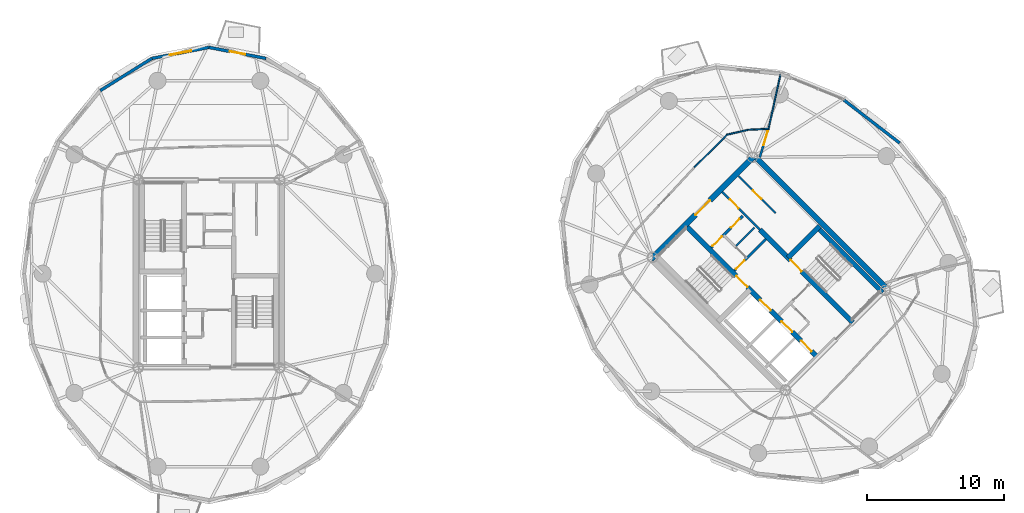
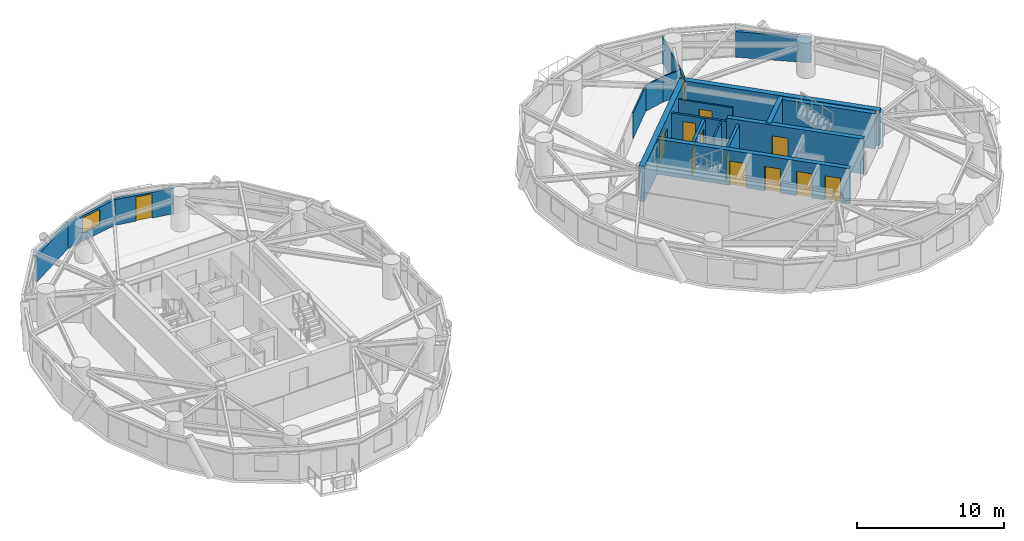
# One storey, part 11 of 15: 20 walls, 13 doors, 1 window, 14 openings.
"""IFC4 building model written with IfcOpenShell, lengths in metres."""

import ifcopenshell
import ifcopenshell.guid

model = None  # the IFC model being written
_history = None  # IfcOwnerHistory: only IFC2X3 demands one
_inside = {}  # id of a spatial element -> (the spatial element, [elements in it])
_under = {}  # id of a project, library or spatial element -> (it, [spatial elements below it])
_declared = {}  # id of a project -> (the project, [libraries it declares])
_typed = {}  # id of a type object -> (the type object, [elements of that type])
_made_of = {}  # id of a material, layer set ... -> (it, [elements and type objects made of it])


def new_model(schema):
    """Start an empty IFC model of exactly this schema.

    Asked for "IFC4X3", IfcOpenShell would pick the latest addendum, in which some entities
    have other attributes; the version numbers below select the first issue.
    IFC2X3 requires an IfcOwnerHistory on every rooted entity: one is made here for all.
    """
    global model, _history
    if schema == "IFC4X3":
        model = ifcopenshell.file(schema_version=(4, 3, 0, 0))
    else:
        model = ifcopenshell.file(schema=schema)
    _inside.clear()
    _under.clear()
    _declared.clear()
    _typed.clear()
    _made_of.clear()
    _history = None
    if model.schema == "IFC2X3":
        org = make("IfcOrganization", Name="unknown")
        user = make(
            "IfcPersonAndOrganization",
            ThePerson=make("IfcPerson", FamilyName="unknown"),
            TheOrganization=org,
        )
        app = make(
            "IfcApplication",
            ApplicationDeveloper=org,
            Version="unknown",
            ApplicationFullName="unknown",
            ApplicationIdentifier="unknown",
        )
        _history = make(
            "IfcOwnerHistory",
            OwningUser=user,
            OwningApplication=app,
            ChangeAction="ADDED",
            CreationDate=0,
        )
    return model


def make(cls, **values):
    """One entity of the class cls with the attributes given. An attribute that is None is left unset."""
    return model.create_entity(
        cls, **{name: value for name, value in values.items() if value is not None}
    )


def rooted(cls, **values):
    """An entity with a GlobalId (a new one), such as an element, a storey or a relation."""
    return make(cls, GlobalId=ifcopenshell.guid.new(), OwnerHistory=_history, **values)


def si_unit(unit_type, name, prefix=None):
    """IfcSIUnit, for example si_unit("LENGTHUNIT", "METRE", prefix="MILLI")."""
    return make("IfcSIUnit", UnitType=unit_type, Prefix=prefix, Name=name)


def assignment(units):
    """IfcUnitAssignment: the units of a project."""
    return None if units is None else make("IfcUnitAssignment", Units=units)


def point(xyz):
    """IfcCartesianPoint."""
    return None if xyz is None else make("IfcCartesianPoint", Coordinates=xyz)


def direction(xyz):
    """IfcDirection."""
    return None if xyz is None else make("IfcDirection", DirectionRatios=xyz)


def frame(location, z_axis=None, x_axis=None):
    """IfcAxis2Placement3D, a coordinate frame: its origin and axes. An axis left out is left unset."""
    return make(
        "IfcAxis2Placement3D",
        Location=point(location),
        Axis=direction(z_axis),
        RefDirection=direction(x_axis),
    )


def frame_2d(location, x_axis=None):
    """IfcAxis2Placement2D, a coordinate frame in the plane: its origin and x axis."""
    return make(
        "IfcAxis2Placement2D", Location=point(location), RefDirection=direction(x_axis)
    )


def origin():
    """The frame at (0, 0, 0) with its axes left unset."""
    return frame((0.0, 0.0, 0.0))


def place(relative_to, where):
    """IfcLocalPlacement: puts the frame where relative to a parent placement (None: the world)."""
    return make(
        "IfcLocalPlacement", PlacementRelTo=relative_to, RelativePlacement=where
    )


def context(
    kind, dimensions, precision=None, world=None, true_north=None, identifier=None
):
    """IfcGeometricRepresentationContext, for example the 3D "Model" context."""
    return make(
        "IfcGeometricRepresentationContext",
        ContextIdentifier=identifier,
        ContextType=kind,
        CoordinateSpaceDimension=dimensions,
        Precision=precision,
        WorldCoordinateSystem=world,
        TrueNorth=true_north,
    )


def subcontext(parent, identifier, kind, view, scale=None):
    """IfcGeometricRepresentationSubContext, for example "Body" below "Model"."""
    return make(
        "IfcGeometricRepresentationSubContext",
        ContextIdentifier=identifier,
        ContextType=kind,
        ParentContext=parent,
        TargetScale=scale,
        TargetView=view,
    )


def project(units=None, contexts=None):
    """IfcProject with its units and contexts."""
    return rooted(
        "IfcProject",
        Name="project",
        RepresentationContexts=contexts,
        UnitsInContext=assignment(units),
    )


def spatial(cls, under=None, at=None, **own):
    """A site, building, storey or space (cls), placed at a placement, below another one or the project."""
    s = rooted(cls, ObjectPlacement=at, **own)
    if under is not None:
        _under.setdefault(under.id(), (under, []))[1].append(s)
    return s


def profile(cls, at=None, kind="AREA", **sizes):
    """A parametric profile (cls). Its sizes go by their IFC names, for example OverallWidth=200.0."""
    return make(cls, ProfileType=kind, Position=at, **sizes)


def rectangle(**sizes):
    """IfcRectangleProfileDef."""
    return profile("IfcRectangleProfileDef", **sizes)


def extrude(swept, where, along, depth):
    """IfcExtrudedAreaSolid: the profile swept, set in the frame where, extruded along a direction by depth."""
    return make(
        "IfcExtrudedAreaSolid",
        SweptArea=swept,
        Position=where,
        ExtrudedDirection=direction(along),
        Depth=depth,
    )


def shape(context_of_items, identifier, shape_type, items):
    """IfcShapeRepresentation: the items that make up one representation, for example the "Body"."""
    return make(
        "IfcShapeRepresentation",
        ContextOfItems=context_of_items,
        RepresentationIdentifier=identifier,
        RepresentationType=shape_type,
        Items=items,
    )


def source(mapping_origin, context_of_items, identifier, shape_type, items):
    """IfcRepresentationMap: a shape defined once, which mapped items show again and again."""
    return make(
        "IfcRepresentationMap",
        MappingOrigin=mapping_origin,
        MappedRepresentation=shape(context_of_items, identifier, shape_type, items),
    )


def transform(
    local_origin,
    x_axis=None,
    y_axis=None,
    z_axis=None,
    scale=None,
    scale2=None,
    scale3=None,
    uniform=True,
):
    """IfcCartesianTransformationOperator3D, or its non-uniform kind. x_axis, y_axis, z_axis: its Axis1, 2, 3."""
    if uniform:
        return make(
            "IfcCartesianTransformationOperator3D",
            Axis1=direction(x_axis),
            Axis2=direction(y_axis),
            LocalOrigin=point(local_origin),
            Scale=scale,
            Axis3=direction(z_axis),
        )
    return make(
        "IfcCartesianTransformationOperator3DnonUniform",
        Axis1=direction(x_axis),
        Axis2=direction(y_axis),
        LocalOrigin=point(local_origin),
        Scale=scale,
        Axis3=direction(z_axis),
        Scale2=scale2,
        Scale3=scale3,
    )


def mapped(mapping_source, mapping_target):
    """IfcMappedItem: shows the shape of a source again, moved by a transform."""
    return make(
        "IfcMappedItem", MappingSource=mapping_source, MappingTarget=mapping_target
    )


def material(Name=None, Category=None):
    """IfcMaterial."""
    return make("IfcMaterial", Name=Name, Category=Category)


def layer(
    of_material, thickness, ventilated=None, Name=None, Category=None, Priority=None
):
    """IfcMaterialLayer: one layer of a wall or slab, of a material (None: an air gap)."""
    return make(
        "IfcMaterialLayer",
        Material=of_material,
        LayerThickness=thickness,
        IsVentilated=ventilated,
        Name=Name,
        Category=Category,
        Priority=Priority,
    )


def layer_set(layers, Name=None):
    """IfcMaterialLayerSet."""
    return make("IfcMaterialLayerSet", MaterialLayers=layers, LayerSetName=Name)


def made_of(thing, what):
    """Note that an element or type object is made of a material, layer set ...; save() writes the relation."""
    if what is not None:
        _made_of.setdefault(what.id(), (what, []))[1].append(thing)
    return thing


def type_object(cls, material=None, **own):
    """A type object (cls), such as IfcWallType, which elements share."""
    return made_of(rooted(cls, **own), material)


def element(
    cls,
    number,
    at=None,
    inside=None,
    cuts=None,
    type_object=None,
    material=None,
    context=None,
    identifier="Body",
    shape_type=None,
    held_by="IfcProductDefinitionShape",
    body=None,
    shapes=None,
    **own,
):
    """One element of the class cls, such as IfcWall. Its Tag is "e" and its number.

    at: its placement. inside: the storey or other place that contains it. cuts: it is an
    opening in that element (IfcRelVoidsElement). A single representation is given by context,
    identifier, shape_type and body (its items); several are given by shapes. held_by: the class
    of the entity that holds the representations. save() writes the other relations.
    """
    e = rooted(cls, Tag="e%d" % number, ObjectPlacement=at, **own)
    if body is not None:
        shapes = [shape(context, identifier, shape_type, body)]
    if shapes is not None:
        e.Representation = make(held_by, Representations=shapes)
    if inside is not None:
        _inside.setdefault(inside.id(), (inside, []))[1].append(e)
    if cuts is not None:
        rooted(
            "IfcRelVoidsElement", RelatingBuildingElement=cuts, RelatedOpeningElement=e
        )
    if type_object is not None:
        _typed.setdefault(type_object.id(), (type_object, []))[1].append(e)
    return made_of(e, material)


def fill(opening, filler):
    """IfcRelFillsElement: the door or window that sits in an opening."""
    return rooted(
        "IfcRelFillsElement",
        RelatingOpeningElement=opening,
        RelatedBuildingElement=filler,
    )


def aggregate(whole, parts):
    """IfcRelAggregates: a whole, such as a stair, and the parts it consists of."""
    return rooted("IfcRelAggregates", RelatingObject=whole, RelatedObjects=parts)


def save(model, path):
    """Write the relations noted so far, then the file.

    IfcRelAggregates (storeys below a building ...), IfcRelContainedInSpatialStructure (elements
    in a storey), IfcRelDefinesByType, IfcRelAssociatesMaterial and IfcRelDeclares: one each for
    every whole, place, type object, material and project.
    """
    for whole, parts in _under.values():
        aggregate(whole, parts)
    for where, things in _inside.values():
        rooted(
            "IfcRelContainedInSpatialStructure",
            RelatedElements=things,
            RelatingStructure=where,
        )
    for kind, things in _typed.values():
        rooted("IfcRelDefinesByType", RelatedObjects=things, RelatingType=kind)
    for what, things in _made_of.values():
        rooted("IfcRelAssociatesMaterial", RelatedObjects=things, RelatingMaterial=what)
    for by, libraries in _declared.values():
        rooted("IfcRelDeclares", RelatingContext=by, RelatedDefinitions=libraries)
    model.write(path)


model = new_model("IFC4")

# Units and contexts
model_context = context("Model", 3, precision=1e-05, world=origin(), true_north=direction((0.0, 1.0)))
body_context = subcontext(model_context, "Body", "Model", "MODEL_VIEW")
ifc_project = project(units=[si_unit("LENGTHUNIT", "METRE"), si_unit("AREAUNIT", "SQUARE_METRE"), si_unit("VOLUMEUNIT", "CUBIC_METRE"), si_unit("PLANEANGLEUNIT", "RADIAN"), si_unit("MASSUNIT", "GRAM", prefix="KILO")], contexts=[model_context])

# Site, building, storey
site_placement = place(None, origin())
site = spatial("IfcSite", under=ifc_project, at=site_placement, CompositionType="ELEMENT")
building_placement = place(site_placement, origin())
building = spatial("IfcBuilding", under=site, at=building_placement, Name="Cununo Teusaquillo Station Towers", CompositionType="ELEMENT")
storey_placement = place(building_placement, frame((0.0, 0.0, 189.429931640625)))
storey = spatial("IfcBuildingStorey", under=building, at=storey_placement, Name="L60", CompositionType="ELEMENT", Elevation=189.429931640625)

# Wall, openings, doors
ifc_material_1 = material(Name="Concrete C50/60", Category="concrete")
ifc_layer_1 = layer(ifc_material_1, 0.35009765625)
ifc_layer_set_1 = layer_set([ifc_layer_1], Name="Concrete C50/60")
wall_type_1 = type_object("IfcWallType", Name="WL-CORE-350", PredefinedType="SHEAR", material=ifc_layer_set_1)
wall_1_placement = place(storey_placement, frame((61.060302734375, 18.372802734375, 0.0), z_axis=(0.0, 0.0, 1.0), x_axis=(-0.707106781187, 0.707106781187, 0.0)))
wall_1 = element("IfcWall", 1, at=wall_1_placement, inside=storey, type_object=wall_type_1, Name="L60 Tower B Core Shear Wall IW", PredefinedType="SHEAR", context=body_context, shape_type="SweptSolid", body=[
    extrude(rectangle(XDim=13.7001953125, YDim=0.35009765625, at=frame_2d((6.85009765625, 0.0))), origin(), (0.0, 0.0, 1.0), 2.91015625),
])
shared_shape_1 = source(origin(), body_context, "Body", "SweptSolid", [
    extrude(rectangle(XDim=1.10009765625, YDim=2.014892578125, at=frame_2d((0.550048828125, 1.00732421875))), frame((0.0, 0.18505859375, 0.0), z_axis=(0.0, -1.0, 0.0), x_axis=(1.0, 0.0, 0.0)), (0.0, 0.0, 1.0), 0.3701171875),
])
opening_1_placement = place(wall_1_placement, frame((4.85009765625, 0.0, 0.0)))
opening_1 = element("IfcOpeningElement", 2, at=opening_1_placement, cuts=wall_1, Name="Opening LD-01", PredefinedType="OPENING", context=body_context, shape_type="MappedRepresentation", body=[
    mapped(shared_shape_1, transform((0.0, 0.0, 0.0), x_axis=(1.0, 0.0, 0.0), y_axis=(0.0, 1.0, 0.0), z_axis=(0.0, 0.0, 1.0), scale=1.0)),
])
opening_2_placement = place(wall_1_placement, frame((0.625, 0.0, 0.0)))
opening_2 = element("IfcOpeningElement", 3, at=opening_2_placement, cuts=wall_1, Name="Opening LD-01", PredefinedType="OPENING", context=body_context, shape_type="MappedRepresentation", body=[
    mapped(shared_shape_1, transform((0.0, 0.0, 0.0), x_axis=(1.0, 0.0, 0.0), y_axis=(0.0, 1.0, 0.0), z_axis=(0.0, 0.0, 1.0), scale=1.0)),
])
opening_3_placement = place(wall_1_placement, frame((2.625, 0.0, 0.0)))
opening_3 = element("IfcOpeningElement", 4, at=opening_3_placement, cuts=wall_1, Name="Opening LD-01", PredefinedType="OPENING", context=body_context, shape_type="MappedRepresentation", body=[
    mapped(shared_shape_1, transform((0.0, 0.0, 0.0), x_axis=(1.0, 0.0, 0.0), y_axis=(0.0, 1.0, 0.0), z_axis=(0.0, 0.0, 1.0), scale=1.0)),
])
shared_shape_2 = source(origin(), body_context, "Body", "SweptSolid", [
    extrude(rectangle(XDim=1.14990234375, YDim=2.02001953125, at=frame_2d((0.574951171875, 1.010009765625))), frame((0.0, 0.18505859375, 0.0), z_axis=(0.0, -1.0, 0.0), x_axis=(1.0, 0.0, 0.0)), (0.0, 0.0, 1.0), 0.3701171875),
])
opening_4_placement = place(wall_1_placement, frame((7.27001953125, 0.0, 0.0)))
opening_4 = element("IfcOpeningElement", 5, at=opening_4_placement, cuts=wall_1, Name="Opening D-ST1", PredefinedType="OPENING", context=body_context, shape_type="MappedRepresentation", body=[
    mapped(shared_shape_2, transform((0.0, 0.0, 0.0), x_axis=(1.0, 0.0, 0.0), y_axis=(0.0, 1.0, 0.0), z_axis=(0.0, 0.0, 1.0), scale=1.0)),
])
ifc_material_2 = material(Name="Galvanised fire-rated hollow steel door assembly", Category="steel")
door_type_1 = type_object("IfcDoorType", Name="DR-LIFT-1100", OperationType="SLIDING_TO_LEFT", PredefinedType="DOOR", material=ifc_material_2)
shared_shape_3 = source(origin(), body_context, "Body", "SweptSolid", [
    extrude(rectangle(XDim=1.10009765625, YDim=2.014892578125, at=frame_2d((0.550048828125, 1.00732421875))), frame((0.0, 0.02490234375, 0.0), z_axis=(0.0, -1.0, 0.0), x_axis=(1.0, 0.0, 0.0)), (0.0, 0.0, 1.0), 0.050048828125),
])
door_1_placement = place(opening_1_placement, origin())
door_1 = element("IfcDoor", 6, at=door_1_placement, inside=storey, type_object=door_type_1, Name="L60 Lift FL-T2 Sliding Landing Door", OperationType="SLIDING_TO_RIGHT", OverallHeight=2.014892578125, OverallWidth=1.10009765625, PredefinedType="DOOR", context=body_context, shape_type="MappedRepresentation", body=[
    mapped(shared_shape_3, transform((0.0, 0.0, 0.0), x_axis=(1.0, 0.0, 0.0), y_axis=(0.0, 1.0, 0.0), z_axis=(0.0, 0.0, 1.0), scale=1.0)),
])
fill(opening_1, door_1)
door_2_placement = place(opening_2_placement, origin())
door_2 = element("IfcDoor", 7, at=door_2_placement, inside=storey, type_object=door_type_1, Name="L60 Lift PL-T2-H1 Sliding Landing Door", OperationType="SLIDING_TO_LEFT", OverallHeight=2.014892578125, OverallWidth=1.10009765625, PredefinedType="DOOR", context=body_context, shape_type="MappedRepresentation", body=[
    mapped(shared_shape_3, transform((0.0, 0.0, 0.0), x_axis=(1.0, 0.0, 0.0), y_axis=(0.0, 1.0, 0.0), z_axis=(0.0, 0.0, 1.0), scale=1.0)),
])
fill(opening_2, door_2)
door_3_placement = place(opening_3_placement, origin())
door_3 = element("IfcDoor", 8, at=door_3_placement, inside=storey, type_object=door_type_1, Name="L60 Lift PL-T2-H2 Sliding Landing Door", OperationType="SLIDING_TO_RIGHT", OverallHeight=2.014892578125, OverallWidth=1.10009765625, PredefinedType="DOOR", context=body_context, shape_type="MappedRepresentation", body=[
    mapped(shared_shape_3, transform((0.0, 0.0, 0.0), x_axis=(1.0, 0.0, 0.0), y_axis=(0.0, 1.0, 0.0), z_axis=(0.0, 0.0, 1.0), scale=1.0)),
])
fill(opening_3, door_3)
ifc_material_3 = material(Name="Galvanised fire-rated hollow steel door assembly", Category="steel")
door_type_2 = type_object("IfcDoorType", Name="DR-STAIR-1150", OperationType="NOTDEFINED", PredefinedType="DOOR", material=ifc_material_3)
shared_shape_4 = source(origin(), body_context, "Body", "SweptSolid", [
    extrude(rectangle(XDim=1.14990234375, YDim=2.02001953125, at=frame_2d((0.574951171875, 1.010009765625))), frame((0.0, 0.02490234375, 0.0), z_axis=(0.0, -1.0, 0.0), x_axis=(1.0, 0.0, 0.0)), (0.0, 0.0, 1.0), 0.050048828125),
])
door_4_placement = place(opening_4_placement, origin())
door_4 = element("IfcDoor", 9, at=door_4_placement, inside=storey, type_object=door_type_2, Name="L60 Tower B Exit Stair 1 Fire Door", OperationType="SINGLE_SWING_RIGHT", OverallHeight=2.02001953125, OverallWidth=1.14990234375, PredefinedType="DOOR", context=body_context, shape_type="MappedRepresentation", body=[
    mapped(shared_shape_4, transform((0.0, 0.0, 0.0), x_axis=(1.0, 0.0, 0.0), y_axis=(0.0, 1.0, 0.0), z_axis=(0.0, 0.0, 1.0), scale=1.0)),
])
fill(opening_4, door_4)

# Wall, opening, door
wall_2_placement = place(storey_placement, frame((63.627197265625, 20.939697265625, 0.0), z_axis=(0.0, 0.0, 1.0), x_axis=(-0.707119496762, 0.707094065383, 0.0)))
wall_2 = element("IfcWall", 10, at=wall_2_placement, inside=storey, type_object=wall_type_1, Name="L60 Tower B Core Shear Wall IE", PredefinedType="SHEAR", context=body_context, shape_type="SweptSolid", body=[
    extrude(rectangle(XDim=9.60009765625, YDim=0.35009765625, at=frame_2d((4.800048828125, 0.0))), origin(), (0.0, 0.0, 1.0), 2.91015625),
])
opening_5_placement = place(wall_2_placement, frame((5.280029296875, 0.0, 0.0)))
opening_5 = element("IfcOpeningElement", 11, at=opening_5_placement, cuts=wall_2, Name="Opening D-ST1", PredefinedType="OPENING", context=body_context, shape_type="MappedRepresentation", body=[
    mapped(shared_shape_2, transform((0.0, 0.0, 0.0), x_axis=(1.0, 0.0, 0.0), y_axis=(0.0, 1.0, 0.0), z_axis=(0.0, 0.0, 1.0), scale=1.0)),
])
door_5_placement = place(opening_5_placement, origin())
door_5 = element("IfcDoor", 12, at=door_5_placement, inside=storey, type_object=door_type_2, Name="L60 Tower B Exit Stair 2 Fire Door", OperationType="SINGLE_SWING_LEFT", OverallHeight=2.02001953125, OverallWidth=1.14990234375, PredefinedType="DOOR", context=body_context, shape_type="MappedRepresentation", body=[
    mapped(shared_shape_4, transform((0.0, 0.0, 0.0), x_axis=(1.0, 0.0, 0.0), y_axis=(0.0, 1.0, 0.0), z_axis=(0.0, 0.0, 1.0), scale=1.0)),
])
fill(opening_5, door_5)

# Walls
wall_3_placement = place(storey_placement, frame((65.81201171875, 23.124755859375, 0.0), z_axis=(0.0, 0.0, 1.0), x_axis=(-0.707106781187, 0.707106781187, 0.0)))
element("IfcWall", 13, at=wall_3_placement, inside=storey, type_object=wall_type_1, Name="L60 Tower B Core Shear Wall ST2E", PredefinedType="SHEAR", context=body_context, shape_type="SweptSolid", body=[
    extrude(rectangle(XDim=6.695068359375, YDim=0.35009765625, at=frame_2d((3.34765625, 0.0))), origin(), (0.0, 0.0, 1.0), 2.91015625),
])
wall_4_placement = place(storey_placement, frame((58.89306640625, 25.673828125, 0.0), z_axis=(0.0, 0.0, 1.0), x_axis=(0.707106781187, 0.707106781187, 0.0)))
element("IfcWall", 14, at=wall_4_placement, inside=storey, type_object=wall_type_1, Name="L60 Tower B Core Shear Wall ST2N", PredefinedType="SHEAR", context=body_context, shape_type="SweptSolid", body=[
    extrude(rectangle(XDim=3.284912109375, YDim=0.35009765625, at=frame_2d((1.642578125, 0.0))), origin(), (0.0, 0.0, 1.0), 2.91015625),
])
ifc_material_4 = material(Name="Concrete C50/60", Category="concrete")
ifc_layer_2 = layer(ifc_material_4, 0.39990234375)
ifc_layer_set_2 = layer_set([ifc_layer_2], Name="Concrete C50/60")
wall_type_2 = type_object("IfcWallType", Name="WL-CORE-400", PredefinedType="SHEAR", material=ifc_layer_set_2)
wall_5_placement = place(storey_placement, frame((66.26806640625, 23.2978515625, 0.0), z_axis=(0.0, 0.0, 1.0), x_axis=(-0.707106781187, 0.707106781187, 0.0)))
element("IfcWall", 15, at=wall_5_placement, inside=storey, type_object=wall_type_2, Name="L60 Tower B Core Shear Wall E", PredefinedType="SHEAR", context=body_context, shape_type="SweptSolid", body=[
    extrude(rectangle(XDim=14.10009765625, YDim=0.39990234375, at=frame_2d((7.050048828125, 0.0))), origin(), (0.0, 0.0, 1.0), 2.91015625),
])

# Wall, opening, door
wall_6_placement = place(storey_placement, frame((48.873291015625, 25.560791015625, 0.0), z_axis=(0.0, 0.0, 1.0), x_axis=(0.707106781187, 0.707106781187, 0.0)))
wall_6 = element("IfcWall", 16, at=wall_6_placement, inside=storey, type_object=wall_type_2, Name="L60 Tower B Core Shear Wall N", PredefinedType="SHEAR", context=body_context, shape_type="SweptSolid", body=[
    extrude(rectangle(XDim=10.69970703125, YDim=0.39990234375, at=frame_2d((5.349853515625, 0.0))), origin(), (0.0, 0.0, 1.0), 2.91015625),
])
shared_shape_5 = source(origin(), body_context, "Body", "SweptSolid", [
    extrude(rectangle(XDim=1.5, YDim=2.02001953125, at=frame_2d((0.75, 1.010009765625))), frame((0.0, 0.2099609375, 0.0), z_axis=(0.0, -1.0, 0.0), x_axis=(1.0, 0.0, 0.0)), (0.0, 0.0, 1.0), 0.419921875),
])
opening_6_placement = place(wall_6_placement, frame((4.60009765625, 0.0, 0.0)))
opening_6 = element("IfcOpeningElement", 17, at=opening_6_placement, cuts=wall_6, Name="Opening D-LB1", PredefinedType="OPENING", context=body_context, shape_type="MappedRepresentation", body=[
    mapped(shared_shape_5, transform((0.0, 0.0, 0.0), x_axis=(1.0, 0.0, 0.0), y_axis=(0.0, 1.0, 0.0), z_axis=(0.0, 0.0, 1.0), scale=1.0)),
])
ifc_material_5 = material(Name="Galvanised fire-rated hollow steel door assembly", Category="steel")
door_type_3 = type_object("IfcDoorType", Name="DR-LOBBY-1500", OperationType="DOUBLE_DOOR_SINGLE_SWING", PredefinedType="DOOR", material=ifc_material_5)
shared_shape_6 = source(origin(), body_context, "Body", "SweptSolid", [
    extrude(rectangle(XDim=1.5, YDim=2.02001953125, at=frame_2d((0.75, 1.010009765625))), frame((0.0, 0.02490234375, 0.0), z_axis=(0.0, -1.0, 0.0), x_axis=(1.0, 0.0, 0.0)), (0.0, 0.0, 1.0), 0.050048828125),
])
door_6_placement = place(opening_6_placement, origin())
door_6 = element("IfcDoor", 18, at=door_6_placement, inside=storey, type_object=door_type_3, Name="L60 Tower B North Core Lift Lobby Door", OperationType="DOUBLE_DOOR_SINGLE_SWING", OverallHeight=2.02001953125, OverallWidth=1.5, PredefinedType="DOOR", context=body_context, shape_type="MappedRepresentation", body=[
    mapped(shared_shape_6, transform((0.0, 0.0, 0.0), x_axis=(1.0, 0.0, 0.0), y_axis=(0.0, 1.0, 0.0), z_axis=(0.0, 0.0, 1.0), scale=1.0)),
])
fill(opening_6, door_6)

ifc_material_6 = material(Name="Precast concrete C40/50", Category="concrete")
ifc_layer_3 = layer(ifc_material_6, 0.219970703125)
ifc_layer_set_3 = layer_set([ifc_layer_3], Name="Precast concrete C40/50")
wall_type_3 = type_object("IfcWallType", Name="WL-EXT-220", PredefinedType="SOLIDWALL", material=ifc_layer_set_3)
wall_7_placement = place(storey_placement, frame((16.5, 41.070068359375, 0.0), z_axis=(0.0, 0.0, 1.0), x_axis=(0.981703883443, -0.190413983815, 0.0)))
wall_7 = element("IfcWall", 19, at=wall_7_placement, inside=storey, type_object=wall_type_3, Name="L60 Tower A Exterior Facade Wall C04", PredefinedType="SOLIDWALL", context=body_context, shape_type="SweptSolid", body=[
    extrude(rectangle(XDim=4.25927734375, YDim=0.219970703125, at=frame_2d((2.129638671875, 0.0))), origin(), (0.0, 0.0, 1.0), 2.125),
])
shared_shape_7 = source(origin(), body_context, "Body", "SweptSolid", [
    extrude(rectangle(XDim=1.14990234375, YDim=2.0048828125, at=frame_2d((0.574951171875, 1.00244140625))), frame((0.0, 0.119873046875, 0.0), z_axis=(0.0, -1.0, 0.0), x_axis=(1.0, 0.0, 0.0)), (0.0, 0.0, 1.0), 0.239990234375),
])
opening_7_placement = place(wall_7_placement, frame((1.554931640625, 0.0, 0.0)))
opening_7 = element("IfcOpeningElement", 20, at=opening_7_placement, cuts=wall_7, Name="Opening ED-03", PredefinedType="OPENING", context=body_context, shape_type="MappedRepresentation", body=[
    mapped(shared_shape_7, transform((0.0, 0.0, 0.0), x_axis=(1.0, 0.0, 0.0), y_axis=(0.0, 1.0, 0.0), z_axis=(0.0, 0.0, 1.0), scale=1.0)),
])
ifc_material_7 = material(Name="Anodised dark bronze aluminium EN AW-6063-T6", Category="aluminium")
door_type_4 = type_object("IfcDoorType", Name="DR-EXT-BAL", OperationType="NOTDEFINED", PredefinedType="DOOR", material=ifc_material_7)
shared_shape_8 = source(origin(), body_context, "Body", "SweptSolid", [
    extrude(rectangle(XDim=1.14990234375, YDim=2.0048828125, at=frame_2d((0.574951171875, 1.00244140625))), frame((0.0, 0.02490234375, 0.0), z_axis=(0.0, -1.0, 0.0), x_axis=(1.0, 0.0, 0.0)), (0.0, 0.0, 1.0), 0.050048828125),
])
door_7_placement = place(opening_7_placement, origin())
door_7 = element("IfcDoor", 21, at=door_7_placement, inside=storey, type_object=door_type_4, Name="L60 Tower A Tree Balcony Door C04", OperationType="SINGLE_SWING_LEFT", OverallHeight=2.0048828125, OverallWidth=1.14990234375, PredefinedType="DOOR", context=body_context, shape_type="MappedRepresentation", body=[
    mapped(shared_shape_8, transform((0.0, 0.0, 0.0), x_axis=(1.0, 0.0, 0.0), y_axis=(0.0, 1.0, 0.0), z_axis=(0.0, 0.0, 1.0), scale=1.0)),
])
fill(opening_7, door_7)

# Wall, opening, window
wall_8_placement = place(storey_placement, frame((12.318603515625, 40.259033203125, 0.0), z_axis=(0.0, 0.0, 1.0), x_axis=(0.981703883443, 0.190413983815, 0.0)))
wall_8 = element("IfcWall", 22, at=wall_8_placement, inside=storey, type_object=wall_type_3, Name="L60 Tower A Exterior Facade Wall C05", PredefinedType="SOLIDWALL", context=body_context, shape_type="SweptSolid", body=[
    extrude(rectangle(XDim=4.25927734375, YDim=0.219970703125, at=frame_2d((2.129638671875, 0.0))), origin(), (0.0, 0.0, 1.0), 2.125),
])
shared_shape_9 = source(origin(), body_context, "Body", "SweptSolid", [
    extrude(rectangle(XDim=1.60009765625, YDim=1.300048828125, at=frame_2d((0.800048828125, 0.64990234375))), frame((0.0, 0.119873046875, 0.0), z_axis=(0.0, -1.0, 0.0), x_axis=(1.0, 0.0, 0.0)), (0.0, 0.0, 1.0), 0.239990234375),
])
opening_8_placement = place(wall_8_placement, frame((1.330078125, 0.0, 0.64990234375)))
opening_8 = element("IfcOpeningElement", 23, at=opening_8_placement, cuts=wall_8, Name="Opening WN-03", PredefinedType="OPENING", context=body_context, shape_type="MappedRepresentation", body=[
    mapped(shared_shape_9, transform((0.0, 0.0, 0.0), x_axis=(1.0, 0.0, 0.0), y_axis=(0.0, 1.0, 0.0), z_axis=(0.0, 0.0, 1.0), scale=1.0)),
])
ifc_material_8 = material(Name="Ceramic-fritted dark low-E double glazing", Category="glass")
window_type = type_object("IfcWindowType", Name="WIN-CORN-1600", PartitioningType="SINGLE_PANEL", PredefinedType="WINDOW", material=ifc_material_8)
shared_shape_10 = source(origin(), body_context, "Body", "SweptSolid", [
    extrude(rectangle(XDim=1.60009765625, YDim=1.300048828125, at=frame_2d((0.800048828125, 0.64990234375))), frame((0.0, 0.030029296875, 0.0), z_axis=(0.0, -1.0, 0.0), x_axis=(1.0, 0.0, 0.0)), (0.0, 0.0, 1.0), 0.06005859375),
])
window_placement = place(opening_8_placement, origin())
window = element("IfcWindow", 24, at=window_placement, inside=storey, type_object=window_type, Name="L60 Tower A Facade Window C05", OverallHeight=1.300048828125, OverallWidth=1.60009765625, PartitioningType="SINGLE_PANEL", PredefinedType="WINDOW", context=body_context, shape_type="MappedRepresentation", body=[
    mapped(shared_shape_10, transform((0.0, 0.0, 0.0), x_axis=(1.0, 0.0, 0.0), y_axis=(0.0, 1.0, 0.0), z_axis=(0.0, 0.0, 1.0), scale=1.0)),
])
fill(opening_8, window)

# Walls
wall_9_placement = place(storey_placement, frame((8.546630859375, 37.905517578125, 0.0), z_axis=(0.0, 0.0, 1.0), x_axis=(0.848399108042, 0.529357113368, 0.0)))
element("IfcWall", 25, at=wall_9_placement, inside=storey, type_object=wall_type_3, Name="L60 Tower A Exterior Facade Wall C06", PredefinedType="SOLIDWALL", context=body_context, shape_type="SweptSolid", body=[
    extrude(rectangle(XDim=4.446044921875, YDim=0.219970703125, at=frame_2d((2.22314453125, 0.0))), origin(), (0.0, 0.0, 1.0), 2.125),
])
wall_10_placement = place(storey_placement, frame((62.97900390625, 37.22021484375, 0.0), z_axis=(0.0, 0.0, 1.0), x_axis=(0.791962560189, -0.610569654715, 0.0)))
element("IfcWall", 26, at=wall_10_placement, inside=storey, type_object=wall_type_3, Name="L60 Tower B Exterior Facade Wall C00", PredefinedType="SOLIDWALL", context=body_context, shape_type="SweptSolid", body=[
    extrude(rectangle(XDim=5.162841796875, YDim=0.219970703125, at=frame_2d((2.58154296875, 0.0))), origin(), (0.0, 0.0, 1.0), 2.125),
])
ifc_material_9 = material(Name="Fire-rated gypsum plasterboard partition assembly", Category="gypsum")
ifc_layer_4 = layer(ifc_material_9, 0.10009765625)
ifc_layer_set_4 = layer_set([ifc_layer_4], Name="Fire-rated gypsum plasterboard partition assembly")
wall_type_4 = type_object("IfcWallType", Name="WL-PART-100", PredefinedType="MOVABLE", material=ifc_layer_set_4)
wall_11_placement = place(storey_placement, frame((57.466796875, 35.111328125, 0.0), z_axis=(0.0, 0.0, 1.0), x_axis=(-0.998691757323, -0.051134859488, 0.0)))
element("IfcWall", 27, at=wall_11_placement, inside=storey, type_object=wall_type_4, Name="L60 Tower B Corridor Ring Wall C02", PredefinedType="MOVABLE", context=body_context, shape_type="SweptSolid", body=[
    extrude(rectangle(XDim=1.48486328125, YDim=0.10009765625, at=frame_2d((0.742431640625, 0.0))), origin(), (0.0, 0.0, 1.0), 2.125),
])
wall_12_placement = place(storey_placement, frame((55.98388671875, 35.035400390625, 0.0), z_axis=(0.0, 0.0, 1.0), x_axis=(-0.975290305708, -0.22092718165, 0.0)))
element("IfcWall", 28, at=wall_12_placement, inside=storey, type_object=wall_type_4, Name="L60 Tower B Corridor Ring Wall C03", PredefinedType="MOVABLE", context=body_context, shape_type="SweptSolid", body=[
    extrude(rectangle(XDim=1.596923828125, YDim=0.10009765625, at=frame_2d((0.79833984375, 0.0))), origin(), (0.0, 0.0, 1.0), 2.125),
])
wall_13_placement = place(storey_placement, frame((54.426513671875, 34.6826171875, 0.0), z_axis=(0.0, 0.0, 1.0), x_axis=(-0.704178989986, -0.710022499687, 0.0)))
element("IfcWall", 29, at=wall_13_placement, inside=storey, type_object=wall_type_4, Name="L60 Tower B Corridor Ring Wall C04", PredefinedType="MOVABLE", context=body_context, shape_type="SweptSolid", body=[
    extrude(rectangle(XDim=3.38427734375, YDim=0.10009765625, at=frame_2d((1.692138671875, 0.0))), origin(), (0.0, 0.0, 1.0), 2.125),
])
wall_14_placement = place(storey_placement, frame((57.466796875, 35.111328125, 0.0), z_axis=(0.0, 0.0, 1.0), x_axis=(0.21593243766, 0.976408307198, 0.0)))
element("IfcWall", 30, at=wall_14_placement, inside=storey, type_object=wall_type_4, Name="L60 Tower B Radial Suite Partition R01", PredefinedType="MOVABLE", context=body_context, shape_type="SweptSolid", body=[
    extrude(rectangle(XDim=4.093017578125, YDim=0.10009765625, at=frame_2d((2.04638671875, 0.0))), origin(), (0.0, 0.0, 1.0), 2.125),
])
ifc_material_10 = material(Name="Fire-rated gypsum plasterboard partition assembly", Category="gypsum")
ifc_layer_5 = layer(ifc_material_10, 0.125)
ifc_layer_set_5 = layer_set([ifc_layer_5], Name="Fire-rated gypsum plasterboard partition assembly")
wall_type_5 = type_object("IfcWallType", Name="WL-PART-125", PredefinedType="PARTITIONING", material=ifc_layer_set_5)
wall_15_placement = place(storey_placement, frame((55.0888671875, 26.54345703125, 0.0), z_axis=(0.0, 0.0, 1.0), x_axis=(0.707106781187, 0.707106781187, 0.0)))
element("IfcWall", 31, at=wall_15_placement, inside=storey, type_object=wall_type_5, Name="L60 Tower B Core Horizontal Split Wall", PredefinedType="PARTITIONING", context=body_context, shape_type="SweptSolid", body=[
    extrude(rectangle(XDim=1.8798828125, YDim=0.125, at=frame_2d((0.93994140625, 0.0))), origin(), (0.0, 0.0, 1.0), 2.55517578125),
])

# Wall, opening, door
wall_16_placement = place(storey_placement, frame((57.980712890625, 28.940673828125, 0.0), z_axis=(0.0, 0.0, 1.0), x_axis=(-0.707074823725, 0.707138737204, 0.0)))
wall_16 = element("IfcWall", 32, at=wall_16_placement, inside=storey, type_object=wall_type_5, Name="L60 Tower B Reclaimed Bay Vertical Split Wall", PredefinedType="PARTITIONING", context=body_context, shape_type="SweptSolid", body=[
    extrude(rectangle(XDim=3.81982421875, YDim=0.125, at=frame_2d((1.909912109375, 0.0))), origin(), (0.0, 0.0, 1.0), 2.55517578125),
])
shared_shape_11 = source(origin(), body_context, "Body", "SweptSolid", [
    extrude(rectangle(XDim=0.89990234375, YDim=2.0048828125, at=frame_2d((0.449951171875, 1.00244140625))), frame((0.0, 0.072509765625, 0.0), z_axis=(0.0, -1.0, 0.0), x_axis=(1.0, 0.0, 0.0)), (0.0, 0.0, 1.0), 0.14501953125),
])
opening_9_placement = place(wall_16_placement, frame((1.449951171875, 0.0, 0.0)))
opening_9 = element("IfcOpeningElement", 33, at=opening_9_placement, cuts=wall_16, Name="Opening D-IN1", PredefinedType="OPENING", context=body_context, shape_type="MappedRepresentation", body=[
    mapped(shared_shape_11, transform((0.0, 0.0, 0.0), x_axis=(1.0, 0.0, 0.0), y_axis=(0.0, 1.0, 0.0), z_axis=(0.0, 0.0, 1.0), scale=1.0)),
])
ifc_material_11 = material(Name="Acoustic solid-core hardwood leaf assembly", Category="wood")
door_type_5 = type_object("IfcDoorType", Name="DR-INT-900", OperationType="NOTDEFINED", PredefinedType="DOOR", material=ifc_material_11)
shared_shape_12 = source(origin(), body_context, "Body", "SweptSolid", [
    extrude(rectangle(XDim=0.89990234375, YDim=2.0048828125, at=frame_2d((0.449951171875, 1.00244140625))), frame((0.0, 0.02490234375, 0.0), z_axis=(0.0, -1.0, 0.0), x_axis=(1.0, 0.0, 0.0)), (0.0, 0.0, 1.0), 0.050048828125),
])
door_8_placement = place(opening_9_placement, origin())
door_8 = element("IfcDoor", 34, at=door_8_placement, inside=storey, type_object=door_type_5, Name="L60 Tower B Reclaimed Acoustic Booth Door", OperationType="SINGLE_SWING_RIGHT", OverallHeight=2.0048828125, OverallWidth=0.89990234375, PredefinedType="DOOR", context=body_context, shape_type="MappedRepresentation", body=[
    mapped(shared_shape_12, transform((0.0, 0.0, 0.0), x_axis=(1.0, 0.0, 0.0), y_axis=(0.0, 1.0, 0.0), z_axis=(0.0, 0.0, 1.0), scale=1.0)),
])
fill(opening_9, door_8)

ifc_material_12 = material(Name="Fire-rated gypsum plasterboard partition assembly", Category="gypsum")
ifc_layer_6 = layer(ifc_material_12, 0.159912109375)
ifc_layer_set_6 = layer_set([ifc_layer_6], Name="Fire-rated gypsum plasterboard partition assembly")
wall_type_6 = type_object("IfcWallType", Name="WL-PART-160", PredefinedType="PARTITIONING", material=ifc_layer_set_6)
wall_17_placement = place(storey_placement, frame((56.8388671875, 27.727783203125, 0.0), z_axis=(0.0, 0.0, 1.0), x_axis=(-0.707106781187, 0.707106781187, 0.0)))
wall_17 = element("IfcWall", 35, at=wall_17_placement, inside=storey, type_object=wall_type_6, Name="L60 Tower B Reclaimed Core Bay Entry Wall", PredefinedType="PARTITIONING", context=body_context, shape_type="SweptSolid", body=[
    extrude(rectangle(XDim=3.900146484375, YDim=0.159912109375, at=frame_2d((1.9501953125, 0.0))), origin(), (0.0, 0.0, 1.0), 2.55517578125),
])
shared_shape_13 = source(origin(), body_context, "Body", "SweptSolid", [
    extrude(rectangle(XDim=0.89990234375, YDim=2.0048828125, at=frame_2d((0.449951171875, 1.00244140625))), frame((0.0, 0.08984375, 0.0), z_axis=(0.0, -1.0, 0.0), x_axis=(1.0, 0.0, 0.0)), (0.0, 0.0, 1.0), 0.179931640625),
])
opening_10_placement = place(wall_17_placement, frame((2.199951171875, 0.0, 0.0)))
opening_10 = element("IfcOpeningElement", 36, at=opening_10_placement, cuts=wall_17, Name="Opening D-IN1", PredefinedType="OPENING", context=body_context, shape_type="MappedRepresentation", body=[
    mapped(shared_shape_13, transform((0.0, 0.0, 0.0), x_axis=(1.0, 0.0, 0.0), y_axis=(0.0, 1.0, 0.0), z_axis=(0.0, 0.0, 1.0), scale=1.0)),
])
door_9_placement = place(opening_10_placement, origin())
door_9 = element("IfcDoor", 37, at=door_9_placement, inside=storey, type_object=door_type_5, Name="L60 Tower B Reclaimed Meeting Room Door", OperationType="SINGLE_SWING_LEFT", OverallHeight=2.0048828125, OverallWidth=0.89990234375, PredefinedType="DOOR", context=body_context, shape_type="MappedRepresentation", body=[
    mapped(shared_shape_12, transform((0.0, 0.0, 0.0), x_axis=(1.0, 0.0, 0.0), y_axis=(0.0, 1.0, 0.0), z_axis=(0.0, 0.0, 1.0), scale=1.0)),
])
fill(opening_10, door_9)

wall_18_placement = place(storey_placement, frame((56.828125, 33.0205078125, 0.0), z_axis=(0.0, 0.0, 1.0), x_axis=(0.292139093972, 0.956375841274, 0.0)))
wall_18 = element("IfcWall", 38, at=wall_18_placement, inside=storey, type_object=wall_type_6, Name="L60 Tower B East Salon Corridor Portal Wall NE", PredefinedType="PARTITIONING", context=body_context, shape_type="SweptSolid", body=[
    extrude(rectangle(XDim=2.186279296875, YDim=0.159912109375, at=frame_2d((1.09326171875, 0.0))), origin(), (0.0, 0.0, 1.0), 2.125),
])
shared_shape_14 = source(origin(), body_context, "Body", "SweptSolid", [
    extrude(rectangle(XDim=1.050048828125, YDim=2.014892578125, at=frame_2d((0.52490234375, 1.00732421875))), frame((0.0, 0.08984375, 0.0), z_axis=(0.0, -1.0, 0.0), x_axis=(1.0, 0.0, 0.0)), (0.0, 0.0, 1.0), 0.179931640625),
])
opening_11_placement = place(wall_18_placement, frame((0.93603515625, 0.0, 0.0)))
opening_11 = element("IfcOpeningElement", 39, at=opening_11_placement, cuts=wall_18, Name="Opening D-SU1", PredefinedType="OPENING", context=body_context, shape_type="MappedRepresentation", body=[
    mapped(shared_shape_14, transform((0.0, 0.0, 0.0), x_axis=(1.0, 0.0, 0.0), y_axis=(0.0, 1.0, 0.0), z_axis=(0.0, 0.0, 1.0), scale=1.0)),
])
ifc_material_13 = material(Name="Acoustic solid-core hardwood leaf assembly", Category="wood")
door_type_6 = type_object("IfcDoorType", Name="DR-SUITE-1050", OperationType="NOTDEFINED", PredefinedType="DOOR", material=ifc_material_13)
shared_shape_15 = source(origin(), body_context, "Body", "SweptSolid", [
    extrude(rectangle(XDim=1.050048828125, YDim=2.014892578125, at=frame_2d((0.52490234375, 1.00732421875))), frame((0.0, 0.02490234375, 0.0), z_axis=(0.0, -1.0, 0.0), x_axis=(1.0, 0.0, 0.0)), (0.0, 0.0, 1.0), 0.050048828125),
])
door_10_placement = place(opening_11_placement, origin())
door_10 = element("IfcDoor", 40, at=door_10_placement, inside=storey, type_object=door_type_6, Name="L60 Tower B East Panorama Sky Salon Door NE", OperationType="SINGLE_SWING_LEFT", OverallHeight=2.014892578125, OverallWidth=1.050048828125, PredefinedType="DOOR", context=body_context, shape_type="MappedRepresentation", body=[
    mapped(shared_shape_15, transform((0.0, 0.0, 0.0), x_axis=(1.0, 0.0, 0.0), y_axis=(0.0, 1.0, 0.0), z_axis=(0.0, 0.0, 1.0), scale=1.0)),
])
fill(opening_11, door_10)

ifc_material_14 = material(Name="Fire-rated gypsum plasterboard partition assembly", Category="gypsum")
ifc_layer_7 = layer(ifc_material_14, 0.199951171875)
ifc_layer_set_7 = layer_set([ifc_layer_7], Name="Fire-rated gypsum plasterboard partition assembly")
wall_type_7 = type_object("IfcWallType", Name="WL-PART-200", PredefinedType="PARTITIONING", material=ifc_layer_set_7)
wall_19_placement = place(storey_placement, frame((54.96142578125, 24.71923828125, 0.0), z_axis=(0.0, 0.0, 1.0), x_axis=(0.707106781187, 0.707106781187, 0.0)))
wall_19 = element("IfcWall", 41, at=wall_19_placement, inside=storey, type_object=wall_type_7, Name="L60 Tower B Firefighting Lift Lobby North Fire Wall", PredefinedType="PARTITIONING", context=body_context, shape_type="SweptSolid", body=[
    extrude(rectangle(XDim=3.280029296875, YDim=0.199951171875, at=frame_2d((1.64013671875, 0.0))), origin(), (0.0, 0.0, 1.0), 2.55517578125),
])
shared_shape_16 = source(origin(), body_context, "Body", "SweptSolid", [
    extrude(rectangle(XDim=0.89990234375, YDim=2.0048828125, at=frame_2d((0.449951171875, 1.00244140625))), frame((0.0, 0.10986328125, 0.0), z_axis=(0.0, -1.0, 0.0), x_axis=(1.0, 0.0, 0.0)), (0.0, 0.0, 1.0), 0.219970703125),
])
opening_12_placement = place(wall_19_placement, frame((0.159912109375, 0.0, 0.0)))
opening_12 = element("IfcOpeningElement", 42, at=opening_12_placement, cuts=wall_19, Name="Opening D-SR1", PredefinedType="OPENING", context=body_context, shape_type="MappedRepresentation", body=[
    mapped(shared_shape_16, transform((0.0, 0.0, 0.0), x_axis=(1.0, 0.0, 0.0), y_axis=(0.0, 1.0, 0.0), z_axis=(0.0, 0.0, 1.0), scale=1.0)),
])
ifc_material_15 = material(Name="Galvanised fire-rated hollow steel door assembly", Category="steel")
door_type_7 = type_object("IfcDoorType", Name="DR-STORE-900", OperationType="NOTDEFINED", PredefinedType="DOOR", material=ifc_material_15)
door_11_placement = place(opening_12_placement, origin())
door_11 = element("IfcDoor", 43, at=door_11_placement, inside=storey, type_object=door_type_7, Name="L60 Tower B Stair 1 Protected Vestibule South Door", OperationType="SINGLE_SWING_RIGHT", OverallHeight=2.0048828125, OverallWidth=0.89990234375, PredefinedType="DOOR", context=body_context, shape_type="MappedRepresentation", body=[
    mapped(shared_shape_12, transform((0.0, 0.0, 0.0), x_axis=(1.0, 0.0, 0.0), y_axis=(0.0, 1.0, 0.0), z_axis=(0.0, 0.0, 1.0), scale=1.0)),
])
fill(opening_12, door_11)

# Wall, openings, doors
wall_20_placement = place(storey_placement, frame((53.264404296875, 26.416259765625, 0.0), z_axis=(0.0, 0.0, 1.0), x_axis=(0.707106781187, 0.707106781187, 0.0)))
wall_20 = element("IfcWall", 44, at=wall_20_placement, inside=storey, type_object=wall_type_7, Name="L60 Tower B North Lift Lobby South Fire Wall", PredefinedType="PARTITIONING", context=body_context, shape_type="SweptSolid", body=[
    extrude(rectangle(XDim=3.280029296875, YDim=0.199951171875, at=frame_2d((1.64013671875, 0.0))), origin(), (0.0, 0.0, 1.0), 2.55517578125),
])
shared_shape_17 = source(origin(), body_context, "Body", "SweptSolid", [
    extrude(rectangle(XDim=1.0, YDim=2.014892578125, at=frame_2d((0.5, 1.00732421875))), frame((0.0, 0.10986328125, 0.0), z_axis=(0.0, -1.0, 0.0), x_axis=(1.0, 0.0, 0.0)), (0.0, 0.0, 1.0), 0.219970703125),
])
opening_13_placement = place(wall_20_placement, frame((0.139892578125, 0.0, 0.0)))
opening_13 = element("IfcOpeningElement", 45, at=opening_13_placement, cuts=wall_20, Name="Opening D-AC1", PredefinedType="OPENING", context=body_context, shape_type="MappedRepresentation", body=[
    mapped(shared_shape_17, transform((0.0, 0.0, 0.0), x_axis=(1.0, 0.0, 0.0), y_axis=(0.0, 1.0, 0.0), z_axis=(0.0, 0.0, 1.0), scale=1.0)),
])
opening_14_placement = place(wall_20_placement, frame((2.050048828125, 0.0, 0.0)))
opening_14 = element("IfcOpeningElement", 46, at=opening_14_placement, cuts=wall_20, Name="Opening D-SR1", PredefinedType="OPENING", context=body_context, shape_type="MappedRepresentation", body=[
    mapped(shared_shape_16, transform((0.0, 0.0, 0.0), x_axis=(1.0, 0.0, 0.0), y_axis=(0.0, 1.0, 0.0), z_axis=(0.0, 0.0, 1.0), scale=1.0)),
])
door_12_placement = place(opening_14_placement, origin())
door_12 = element("IfcDoor", 47, at=door_12_placement, inside=storey, type_object=door_type_7, Name="L60 Tower B Core Comms Room Door", OperationType="SINGLE_SWING_RIGHT", OverallHeight=2.0048828125, OverallWidth=0.89990234375, PredefinedType="DOOR", context=body_context, shape_type="MappedRepresentation", body=[
    mapped(shared_shape_12, transform((0.0, 0.0, 0.0), x_axis=(1.0, 0.0, 0.0), y_axis=(0.0, 1.0, 0.0), z_axis=(0.0, 0.0, 1.0), scale=1.0)),
])
fill(opening_14, door_12)
ifc_material_16 = material(Name="Acoustic solid-core hardwood leaf assembly", Category="wood")
door_type_8 = type_object("IfcDoorType", Name="DR-ACC-1000", OperationType="NOTDEFINED", PredefinedType="DOOR", material=ifc_material_16)
shared_shape_18 = source(origin(), body_context, "Body", "SweptSolid", [
    extrude(rectangle(XDim=1.0, YDim=2.014892578125, at=frame_2d((0.5, 1.00732421875))), frame((0.0, 0.02490234375, 0.0), z_axis=(0.0, -1.0, 0.0), x_axis=(1.0, 0.0, 0.0)), (0.0, 0.0, 1.0), 0.050048828125),
])
door_13_placement = place(opening_13_placement, origin())
door_13 = element("IfcDoor", 48, at=door_13_placement, inside=storey, type_object=door_type_8, Name="L60 Tower B North Lift Lobby to Stair 1 Vestibule Door", OperationType="SINGLE_SWING_LEFT", OverallHeight=2.014892578125, OverallWidth=1.0, PredefinedType="DOOR", context=body_context, shape_type="MappedRepresentation", body=[
    mapped(shared_shape_18, transform((0.0, 0.0, 0.0), x_axis=(1.0, 0.0, 0.0), y_axis=(0.0, 1.0, 0.0), z_axis=(0.0, 0.0, 1.0), scale=1.0)),
])
fill(opening_13, door_13)

save(model, "model.ifc")
